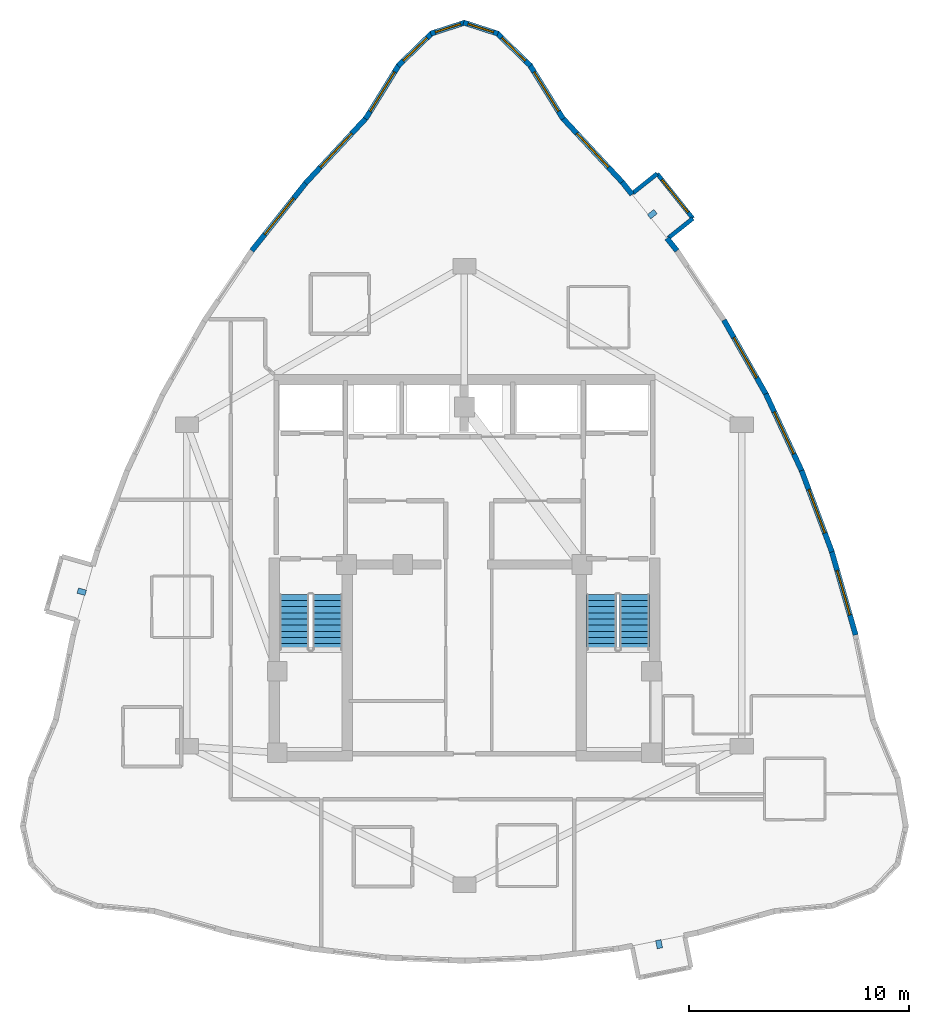
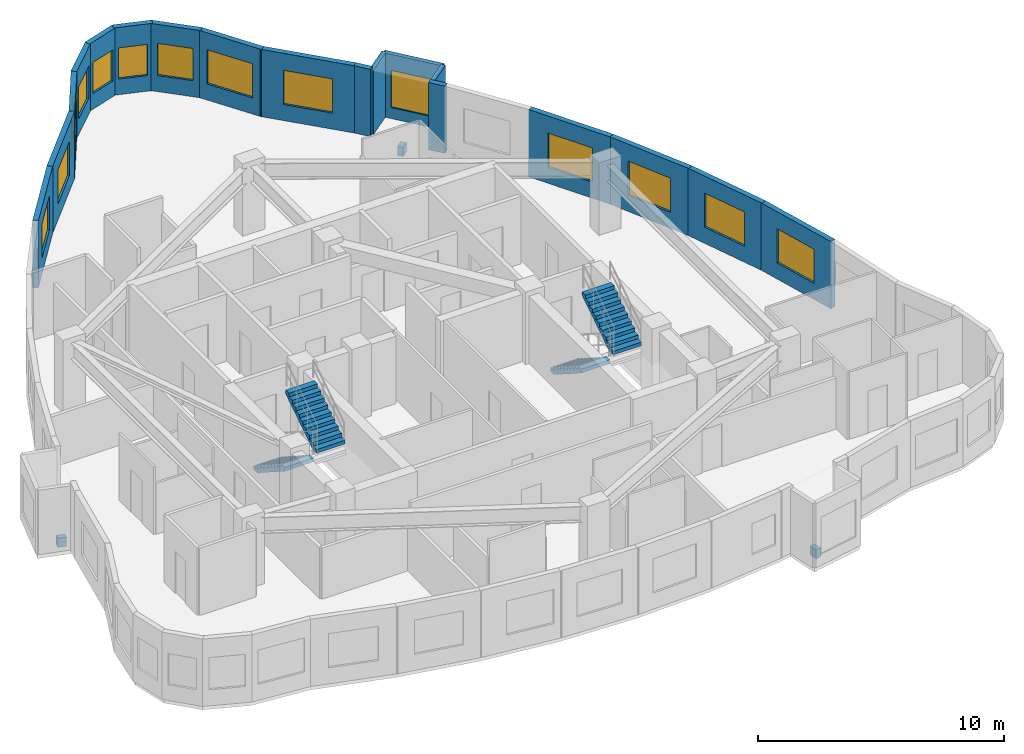
# One storey, part 7 of 8: 18 walls, 14 windows, 4 stair flights, 3 discrete accessories, 14 openings, 2 elements without a shape of their own.
"""IFC4 building model written with IfcOpenShell, lengths in metres."""

from ifc_helpers import new_model, si_unit, direction, frame, frame_2d, origin, origin_2d, place, context, subcontext, project, spatial, polyline, rectangle, outline, extrude, material, layer, layer_set, type_object, element, fill, aggregate, save


model = new_model("IFC4")

# Units and contexts
model_context = context("Model", 3, precision=1e-05, world=origin(), true_north=direction((0.0, 1.0)))
body_context = subcontext(model_context, "Body", "Model", "MODEL_VIEW")
ifc_project = project(units=[si_unit("LENGTHUNIT", "METRE"), si_unit("AREAUNIT", "SQUARE_METRE"), si_unit("VOLUMEUNIT", "CUBIC_METRE"), si_unit("PLANEANGLEUNIT", "RADIAN"), si_unit("MASSUNIT", "GRAM", prefix="KILO")], contexts=[model_context])

# Site, building, storey
site_placement = place(None, origin())
site = spatial("IfcSite", under=ifc_project, at=site_placement, CompositionType="ELEMENT")
building_placement = place(site_placement, origin())
building = spatial("IfcBuilding", under=site, at=building_placement, Name="Miruveldt Soraemaru", CompositionType="ELEMENT")
storey_placement = place(building_placement, frame((0.0, 0.0, 212.39990234375)))
storey = spatial("IfcBuildingStorey", under=building, at=storey_placement, Name="L58", CompositionType="ELEMENT", Elevation=212.39990234375)

# Walls
ifc_material_1 = material(Name="White powder-coated aluminium EN AW-6060 T6", Category="aluminium")
ifc_layer_1 = layer(ifc_material_1, 0.18994140625, Name="White powder-coated aluminium EN AW-6060 T6", Category="aluminium")
ifc_layer_set_1 = layer_set([ifc_layer_1], Name="White powder-coated aluminium EN AW-6060 T6")
wall_type_1 = type_object("IfcWallType", Name="WALL-BAY-ALU190", PredefinedType="SOLIDWALL", material=ifc_layer_set_1)
for number, where, z_axis, x_axis, name in (
    (1, (53.26513671875, 58.88232421875, 0.0), (0.0, 0.0, 1.0), (0.781737193764, 0.623608017817, 0.0), "L58 Bay Window Side Cheek 2L"),
    (2, (52.7578125, 61.803466796875, 0.0), (0.0, 0.0, 1.0), (-0.781737193764, -0.623608017817, 0.0), "L58 Bay Window Side Cheek 2R"),
):
    element("IfcWall", number, at=place(storey_placement, frame(where, z_axis=z_axis, x_axis=x_axis)), inside=storey, type_object=wall_type_1, Name=name, PredefinedType="SOLIDWALL", context=body_context, shape_type="SweptSolid", body=[
        extrude(rectangle(XDim=1.425048828125, YDim=0.18994140625, at=frame_2d((0.71240234375, 0.0))), origin(), (0.0, 0.0, 1.0), 3.195068359375),
    ])

# Wall, opening, window
wall_1_placement = place(storey_placement, frame((54.379150390625, 59.77099609375, 0.0), z_axis=(0.0, 0.0, 1.0), x_axis=(-0.623606546405, 0.781738367538, 0.0)))
wall_1 = element("IfcWall", 3, at=wall_1_placement, inside=storey, type_object=wall_type_1, Name="L58 Bay Window Front Frame 2", PredefinedType="SOLIDWALL", context=body_context, shape_type="SweptSolid", body=[
    extrude(rectangle(XDim=2.599853515625, YDim=0.18994140625, at=frame_2d((1.2998046875, 0.0))), origin(), (0.0, 0.0, 1.0), 3.195068359375),
])
opening_1_placement = place(wall_1_placement, frame((0.35009765625, 0.0, 0.550048828125)))
opening_1 = element("IfcOpeningElement", 4, at=opening_1_placement, cuts=wall_1, Name="Opening WN-6", PredefinedType="OPENING", context=body_context, shape_type="SweptSolid", body=[
    extrude(rectangle(XDim=1.89990234375, YDim=1.85009765625, at=frame_2d((0.949951171875, 0.925048828125))), frame((0.0, 0.10498046875, 0.0), z_axis=(0.0, -1.0, 0.0), x_axis=(1.0, 0.0, 0.0)), (0.0, 0.0, 1.0), 0.2099609375),
])
ifc_material_2 = material(Name="Triple low-e insulated glazing", Category="glass")
window_type_1 = type_object("IfcWindowType", Name="WIN-BAYW-1900x1850", PartitioningType="SINGLE_PANEL", PredefinedType="WINDOW", material=ifc_material_2)
window_1_placement = place(opening_1_placement, origin())
window_1 = element("IfcWindow", 5, at=window_1_placement, inside=storey, type_object=window_type_1, Name="L58 Projecting Bay Window 2", OverallHeight=1.85009765625, OverallWidth=1.89990234375, PartitioningType="SINGLE_PANEL", PredefinedType="WINDOW", context=body_context, shape_type="SweptSolid", body=[
    extrude(rectangle(XDim=1.89990234375, YDim=1.85009765625, at=frame_2d((0.949951171875, 0.925048828125))), frame((0.0, 0.030029296875, 0.0), z_axis=(0.0, -1.0, 0.0), x_axis=(1.0, 0.0, 0.0)), (0.0, 0.0, 1.0), 0.06005859375),
])
fill(opening_1, window_1)

ifc_material_3 = material(Name="Precast concrete C45/55 (45 MPa)", Category="concrete")
ifc_layer_2 = layer(ifc_material_3, 0.239990234375, Name="Precast concrete C45/55 (45 MPa)", Category="concrete")
ifc_layer_set_2 = layer_set([ifc_layer_2], Name="Precast concrete C45/55 (45 MPa)")
wall_type_2 = type_object("IfcWallType", Name="WALL-EXT-PC240", PredefinedType="SOLIDWALL", material=ifc_layer_set_2)
wall_2_placement = place(storey_placement, frame((48.4873046875, 64.292724609375, 0.0), z_axis=(0.0, 0.0, 1.0), x_axis=(-0.526030162623, 0.850465912315, 0.0)))
wall_2 = element("IfcWall", 6, at=wall_2_placement, inside=storey, type_object=wall_type_2, Name="L58 Precast Concrete Facade Wall 1", PredefinedType="SOLIDWALL", context=body_context, shape_type="SweptSolid", body=[
    extrude(rectangle(XDim=2.901611328125, YDim=0.239990234375, at=frame_2d((1.45068359375, 0.0))), origin(), (0.0, 0.0, 1.0), 3.34521484375),
])
opening_2_placement = place(wall_2_placement, frame((0.40087890625, 0.0, 0.800048828125)))
opening_2 = element("IfcOpeningElement", 7, at=opening_2_placement, cuts=wall_2, Name="Opening WN-1", PredefinedType="OPENING", context=body_context, shape_type="SweptSolid", body=[
    extrude(rectangle(XDim=2.10009765625, YDim=1.699951171875, at=frame_2d((1.050048828125, 0.85009765625))), frame((0.0, 0.1298828125, 0.0), z_axis=(0.0, -1.0, 0.0), x_axis=(1.0, 0.0, 0.0)), (0.0, 0.0, 1.0), 0.260009765625),
])
window_type_2 = type_object("IfcWindowType", Name="WIN-PUNCH-2100x1700", PartitioningType="SINGLE_PANEL", PredefinedType="WINDOW", material=ifc_material_2)
window_2_placement = place(opening_2_placement, origin())
window_2 = element("IfcWindow", 8, at=window_2_placement, inside=storey, type_object=window_type_2, Name="L58 Punched Triple-Glazed Window 01.1", OverallHeight=1.699951171875, OverallWidth=2.10009765625, PartitioningType="SINGLE_PANEL", PredefinedType="WINDOW", context=body_context, shape_type="SweptSolid", body=[
    extrude(rectangle(XDim=2.10009765625, YDim=1.699951171875, at=frame_2d((1.050048828125, 0.85009765625))), frame((0.0, 0.030029296875, 0.0), z_axis=(0.0, -1.0, 0.0), x_axis=(1.0, 0.0, 0.0)), (0.0, 0.0, 1.0), 0.06005859375),
])
fill(opening_2, window_2)

wall_3_placement = place(storey_placement, frame((47.00439453125, 66.706298828125, 0.0), z_axis=(0.0, 0.0, 1.0), x_axis=(-0.717779735571, 0.69627024294, 0.0)))
wall_3 = element("IfcWall", 9, at=wall_3_placement, inside=storey, type_object=wall_type_2, Name="L58 Precast Concrete Facade Wall 2", PredefinedType="SOLIDWALL", context=body_context, shape_type="SweptSolid", body=[
    extrude(rectangle(XDim=2.145263671875, YDim=0.239990234375, at=frame_2d((1.07275390625, 0.0))), origin(), (0.0, 0.0, 1.0), 3.34521484375),
])
opening_3_placement = place(wall_3_placement, frame((0.322998046875, 0.0, 0.800048828125)))
opening_3 = element("IfcOpeningElement", 10, at=opening_3_placement, cuts=wall_3, Name="Opening WN-3", PredefinedType="OPENING", context=body_context, shape_type="SweptSolid", body=[
    extrude(rectangle(XDim=1.5, YDim=1.60009765625, at=frame_2d((0.75, 0.800048828125))), frame((0.0, 0.1298828125, 0.0), z_axis=(0.0, -1.0, 0.0), x_axis=(1.0, 0.0, 0.0)), (0.0, 0.0, 1.0), 0.260009765625),
])
window_type_3 = type_object("IfcWindowType", Name="WIN-PUNCH-1500x1600", PartitioningType="SINGLE_PANEL", PredefinedType="WINDOW", material=ifc_material_2)
window_3_placement = place(opening_3_placement, origin())
window_3 = element("IfcWindow", 11, at=window_3_placement, inside=storey, type_object=window_type_3, Name="L58 Punched Triple-Glazed Window 02.1", OverallHeight=1.60009765625, OverallWidth=1.5, PartitioningType="SINGLE_PANEL", PredefinedType="WINDOW", context=body_context, shape_type="SweptSolid", body=[
    extrude(rectangle(XDim=1.5, YDim=1.60009765625, at=frame_2d((0.75, 0.800048828125))), frame((0.0, 0.030029296875, 0.0), z_axis=(0.0, -1.0, 0.0), x_axis=(1.0, 0.0, 0.0)), (0.0, 0.0, 1.0), 0.06005859375),
])
fill(opening_3, window_3)

wall_4_placement = place(storey_placement, frame((45.52294921875, 68.164794921875, 0.0), z_axis=(0.0, 0.0, 1.0), x_axis=(-0.951452233114, 0.307796439391, 0.0)))
wall_4 = element("IfcWall", 12, at=wall_4_placement, inside=storey, type_object=wall_type_2, Name="L58 Precast Concrete Facade Wall 3", PredefinedType="SOLIDWALL", context=body_context, shape_type="SweptSolid", body=[
    extrude(rectangle(XDim=1.635498046875, YDim=0.239990234375, at=frame_2d((0.81787109375, 0.0))), origin(), (0.0, 0.0, 1.0), 3.34521484375),
])
opening_4_placement = place(wall_4_placement, frame((0.218017578125, 0.0, 0.780029296875)))
opening_4 = element("IfcOpeningElement", 13, at=opening_4_placement, cuts=wall_4, Name="Opening WN-4", PredefinedType="OPENING", context=body_context, shape_type="SweptSolid", body=[
    extrude(rectangle(XDim=1.199951171875, YDim=1.550048828125, at=frame_2d((0.60009765625, 0.77490234375))), frame((0.0, 0.1298828125, 0.0), z_axis=(0.0, -1.0, 0.0), x_axis=(1.0, 0.0, 0.0)), (0.0, 0.0, 1.0), 0.260009765625),
])
window_type_4 = type_object("IfcWindowType", Name="WIN-PUNCH-1200x1550", PartitioningType="SINGLE_PANEL", PredefinedType="WINDOW", material=ifc_material_2)
window_4_placement = place(opening_4_placement, origin())
window_4 = element("IfcWindow", 14, at=window_4_placement, inside=storey, type_object=window_type_4, Name="L58 Punched Triple-Glazed Window 03.1", OverallHeight=1.550048828125, OverallWidth=1.199951171875, PartitioningType="SINGLE_PANEL", PredefinedType="WINDOW", context=body_context, shape_type="SweptSolid", body=[
    extrude(rectangle(XDim=1.199951171875, YDim=1.550048828125, at=frame_2d((0.60009765625, 0.77490234375))), frame((0.0, 0.030029296875, 0.0), z_axis=(0.0, -1.0, 0.0), x_axis=(1.0, 0.0, 0.0)), (0.0, 0.0, 1.0), 0.06005859375),
])
fill(opening_4, window_4)

wall_5_placement = place(storey_placement, frame((44.033203125, 68.668212890625, 0.0), z_axis=(0.0, 0.0, 1.0), x_axis=(-0.951452233114, -0.307796439391, 0.0)))
wall_5 = element("IfcWall", 15, at=wall_5_placement, inside=storey, type_object=wall_type_2, Name="L58 Precast Concrete Facade Wall 4", PredefinedType="SOLIDWALL", context=body_context, shape_type="SweptSolid", body=[
    extrude(rectangle(XDim=1.635498046875, YDim=0.239990234375, at=frame_2d((0.81787109375, 0.0))), origin(), (0.0, 0.0, 1.0), 3.34521484375),
])
opening_5_placement = place(wall_5_placement, frame((0.218017578125, 0.0, 0.780029296875)))
opening_5 = element("IfcOpeningElement", 16, at=opening_5_placement, cuts=wall_5, Name="Opening WN-4", PredefinedType="OPENING", context=body_context, shape_type="SweptSolid", body=[
    extrude(rectangle(XDim=1.199951171875, YDim=1.550048828125, at=frame_2d((0.60009765625, 0.77490234375))), frame((0.0, 0.1298828125, 0.0), z_axis=(0.0, -1.0, 0.0), x_axis=(1.0, 0.0, 0.0)), (0.0, 0.0, 1.0), 0.260009765625),
])
window_5_placement = place(opening_5_placement, origin())
window_5 = element("IfcWindow", 17, at=window_5_placement, inside=storey, type_object=window_type_4, Name="L58 Punched Triple-Glazed Window 04.1", OverallHeight=1.550048828125, OverallWidth=1.199951171875, PartitioningType="SINGLE_PANEL", PredefinedType="WINDOW", context=body_context, shape_type="SweptSolid", body=[
    extrude(rectangle(XDim=1.199951171875, YDim=1.550048828125, at=frame_2d((0.60009765625, 0.77490234375))), frame((0.0, 0.030029296875, 0.0), z_axis=(0.0, -1.0, 0.0), x_axis=(1.0, 0.0, 0.0)), (0.0, 0.0, 1.0), 0.06005859375),
])
fill(opening_5, window_5)

wall_6_placement = place(storey_placement, frame((42.535400390625, 68.199951171875, 0.0), z_axis=(0.0, 0.0, 1.0), x_axis=(-0.717779735571, -0.69627024294, 0.0)))
wall_6 = element("IfcWall", 18, at=wall_6_placement, inside=storey, type_object=wall_type_2, Name="L58 Precast Concrete Facade Wall 5", PredefinedType="SOLIDWALL", context=body_context, shape_type="SweptSolid", body=[
    extrude(rectangle(XDim=2.145263671875, YDim=0.239990234375, at=frame_2d((1.07275390625, 0.0))), origin(), (0.0, 0.0, 1.0), 3.34521484375),
])
opening_6_placement = place(wall_6_placement, frame((0.322998046875, 0.0, 0.800048828125)))
opening_6 = element("IfcOpeningElement", 19, at=opening_6_placement, cuts=wall_6, Name="Opening WN-3", PredefinedType="OPENING", context=body_context, shape_type="SweptSolid", body=[
    extrude(rectangle(XDim=1.5, YDim=1.60009765625, at=frame_2d((0.75, 0.800048828125))), frame((0.0, 0.1298828125, 0.0), z_axis=(0.0, -1.0, 0.0), x_axis=(1.0, 0.0, 0.0)), (0.0, 0.0, 1.0), 0.260009765625),
])
window_6_placement = place(opening_6_placement, origin())
window_6 = element("IfcWindow", 20, at=window_6_placement, inside=storey, type_object=window_type_3, Name="L58 Punched Triple-Glazed Window 05.1", OverallHeight=1.60009765625, OverallWidth=1.5, PartitioningType="SINGLE_PANEL", PredefinedType="WINDOW", context=body_context, shape_type="SweptSolid", body=[
    extrude(rectangle(XDim=1.5, YDim=1.60009765625, at=frame_2d((0.75, 0.800048828125))), frame((0.0, 0.030029296875, 0.0), z_axis=(0.0, -1.0, 0.0), x_axis=(1.0, 0.0, 0.0)), (0.0, 0.0, 1.0), 0.06005859375),
])
fill(opening_6, window_6)

wall_7_placement = place(storey_placement, frame((41.0390625, 66.760498046875, 0.0), z_axis=(0.0, 0.0, 1.0), x_axis=(-0.526030162623, -0.850465912315, 0.0)))
wall_7 = element("IfcWall", 21, at=wall_7_placement, inside=storey, type_object=wall_type_2, Name="L58 Precast Concrete Facade Wall 6", PredefinedType="SOLIDWALL", context=body_context, shape_type="SweptSolid", body=[
    extrude(rectangle(XDim=2.901611328125, YDim=0.239990234375, at=frame_2d((1.45068359375, 0.0))), origin(), (0.0, 0.0, 1.0), 3.34521484375),
])
opening_7_placement = place(wall_7_placement, frame((0.40087890625, 0.0, 0.800048828125)))
opening_7 = element("IfcOpeningElement", 22, at=opening_7_placement, cuts=wall_7, Name="Opening WN-1", PredefinedType="OPENING", context=body_context, shape_type="SweptSolid", body=[
    extrude(rectangle(XDim=2.10009765625, YDim=1.699951171875, at=frame_2d((1.050048828125, 0.85009765625))), frame((0.0, 0.1298828125, 0.0), z_axis=(0.0, -1.0, 0.0), x_axis=(1.0, 0.0, 0.0)), (0.0, 0.0, 1.0), 0.260009765625),
])
window_7_placement = place(opening_7_placement, origin())
window_7 = element("IfcWindow", 23, at=window_7_placement, inside=storey, type_object=window_type_2, Name="L58 Punched Triple-Glazed Window 06.1", OverallHeight=1.699951171875, OverallWidth=2.10009765625, PartitioningType="SINGLE_PANEL", PredefinedType="WINDOW", context=body_context, shape_type="SweptSolid", body=[
    extrude(rectangle(XDim=2.10009765625, YDim=1.699951171875, at=frame_2d((1.050048828125, 0.85009765625))), frame((0.0, 0.030029296875, 0.0), z_axis=(0.0, -1.0, 0.0), x_axis=(1.0, 0.0, 0.0)), (0.0, 0.0, 1.0), 0.06005859375),
])
fill(opening_7, window_7)

wall_8_placement = place(storey_placement, frame((39.5546875, 64.34814453125, 0.0), z_axis=(0.0, 0.0, 1.0), x_axis=(-0.680865739955, -0.73240824965, 0.0)))
wall_8 = element("IfcWall", 24, at=wall_8_placement, inside=storey, type_object=wall_type_2, Name="L58 Precast Concrete Facade Wall 7", PredefinedType="SOLIDWALL", context=body_context, shape_type="SweptSolid", body=[
    extrude(rectangle(XDim=4.06396484375, YDim=0.239990234375, at=frame_2d((2.031982421875, 0.0))), origin(), (0.0, 0.0, 1.0), 3.34521484375),
])
opening_8_placement = place(wall_8_placement, frame((0.98193359375, 0.0, 0.800048828125)))
opening_8 = element("IfcOpeningElement", 25, at=opening_8_placement, cuts=wall_8, Name="Opening WN-1", PredefinedType="OPENING", context=body_context, shape_type="SweptSolid", body=[
    extrude(rectangle(XDim=2.10009765625, YDim=1.699951171875, at=frame_2d((1.050048828125, 0.85009765625))), frame((0.0, 0.1298828125, 0.0), z_axis=(0.0, -1.0, 0.0), x_axis=(1.0, 0.0, 0.0)), (0.0, 0.0, 1.0), 0.260009765625),
])
window_8_placement = place(opening_8_placement, origin())
window_8 = element("IfcWindow", 26, at=window_8_placement, inside=storey, type_object=window_type_2, Name="L58 Punched Triple-Glazed Window 07.1", OverallHeight=1.699951171875, OverallWidth=2.10009765625, PartitioningType="SINGLE_PANEL", PredefinedType="WINDOW", context=body_context, shape_type="SweptSolid", body=[
    extrude(rectangle(XDim=2.10009765625, YDim=1.699951171875, at=frame_2d((1.050048828125, 0.85009765625))), frame((0.0, 0.030029296875, 0.0), z_axis=(0.0, -1.0, 0.0), x_axis=(1.0, 0.0, 0.0)), (0.0, 0.0, 1.0), 0.06005859375),
])
fill(opening_8, window_8)

wall_9_placement = place(storey_placement, frame((36.833251953125, 61.4248046875, 0.0), z_axis=(0.0, 0.0, 1.0), x_axis=(-0.623568303813, -0.7817688728, 0.0)))
wall_9 = element("IfcWall", 27, at=wall_9_placement, inside=storey, type_object=wall_type_2, Name="L58 Precast Concrete Facade Wall 8", PredefinedType="SOLIDWALL", context=body_context, shape_type="SweptSolid", body=[
    extrude(rectangle(XDim=3.992431640625, YDim=0.239990234375, at=frame_2d((1.99609375, 0.0))), origin(), (0.0, 0.0, 1.0), 3.34521484375),
])
opening_9_placement = place(wall_9_placement, frame((0.946044921875, 0.0, 0.800048828125)))
opening_9 = element("IfcOpeningElement", 28, at=opening_9_placement, cuts=wall_9, Name="Opening WN-1", PredefinedType="OPENING", context=body_context, shape_type="SweptSolid", body=[
    extrude(rectangle(XDim=2.10009765625, YDim=1.699951171875, at=frame_2d((1.050048828125, 0.85009765625))), frame((0.0, 0.1298828125, 0.0), z_axis=(0.0, -1.0, 0.0), x_axis=(1.0, 0.0, 0.0)), (0.0, 0.0, 1.0), 0.260009765625),
])
window_9_placement = place(opening_9_placement, origin())
window_9 = element("IfcWindow", 29, at=window_9_placement, inside=storey, type_object=window_type_2, Name="L58 Punched Triple-Glazed Window 08.1", OverallHeight=1.699951171875, OverallWidth=2.10009765625, PartitioningType="SINGLE_PANEL", PredefinedType="WINDOW", context=body_context, shape_type="SweptSolid", body=[
    extrude(rectangle(XDim=2.10009765625, YDim=1.699951171875, at=frame_2d((1.050048828125, 0.85009765625))), frame((0.0, 0.030029296875, 0.0), z_axis=(0.0, -1.0, 0.0), x_axis=(1.0, 0.0, 0.0)), (0.0, 0.0, 1.0), 0.06005859375),
])
fill(opening_9, window_9)

wall_10_placement = place(storey_placement, frame((61.771728515625, 40.851806640625, 0.0), z_axis=(0.0, 0.0, 1.0), x_axis=(-0.2749472738, 0.961459305759, 0.0)))
wall_10 = element("IfcWall", 30, at=wall_10_placement, inside=storey, type_object=wall_type_2, Name="L58 Precast Concrete Facade Wall 36", PredefinedType="SOLIDWALL", context=body_context, shape_type="SweptSolid", body=[
    extrude(rectangle(XDim=3.9921875, YDim=0.239990234375, at=frame_2d((1.99609375, 0.0))), origin(), (0.0, 0.0, 1.0), 3.34521484375),
])
opening_10_placement = place(wall_10_placement, frame((0.946044921875, 0.0, 0.800048828125)))
opening_10 = element("IfcOpeningElement", 31, at=opening_10_placement, cuts=wall_10, Name="Opening WN-1", PredefinedType="OPENING", context=body_context, shape_type="SweptSolid", body=[
    extrude(rectangle(XDim=2.10009765625, YDim=1.699951171875, at=frame_2d((1.050048828125, 0.85009765625))), frame((0.0, 0.1298828125, 0.0), z_axis=(0.0, -1.0, 0.0), x_axis=(1.0, 0.0, 0.0)), (0.0, 0.0, 1.0), 0.260009765625),
])
window_10_placement = place(opening_10_placement, origin())
window_10 = element("IfcWindow", 32, at=window_10_placement, inside=storey, type_object=window_type_2, Name="L58 Punched Triple-Glazed Window 36.1", OverallHeight=1.699951171875, OverallWidth=2.10009765625, PartitioningType="SINGLE_PANEL", PredefinedType="WINDOW", context=body_context, shape_type="SweptSolid", body=[
    extrude(rectangle(XDim=2.10009765625, YDim=1.699951171875, at=frame_2d((1.050048828125, 0.85009765625))), frame((0.0, 0.030029296875, 0.0), z_axis=(0.0, -1.0, 0.0), x_axis=(1.0, 0.0, 0.0)), (0.0, 0.0, 1.0), 0.06005859375),
])
fill(opening_10, window_10)

wall_11_placement = place(storey_placement, frame((60.69580078125, 44.623779296875, 0.0), z_axis=(0.0, 0.0, 1.0), x_axis=(-0.349019487368, 0.937115466438, 0.0)))
wall_11 = element("IfcWall", 33, at=wall_11_placement, inside=storey, type_object=wall_type_2, Name="L58 Precast Concrete Facade Wall 37", PredefinedType="SOLIDWALL", context=body_context, shape_type="SweptSolid", body=[
    extrude(rectangle(XDim=3.94384765625, YDim=0.239990234375, at=frame_2d((1.971923828125, 0.0))), origin(), (0.0, 0.0, 1.0), 3.34521484375),
])
opening_11_placement = place(wall_11_placement, frame((0.922119140625, 0.0, 0.800048828125)))
opening_11 = element("IfcOpeningElement", 34, at=opening_11_placement, cuts=wall_11, Name="Opening WN-1", PredefinedType="OPENING", context=body_context, shape_type="SweptSolid", body=[
    extrude(rectangle(XDim=2.10009765625, YDim=1.699951171875, at=frame_2d((1.050048828125, 0.85009765625))), frame((0.0, 0.1298828125, 0.0), z_axis=(0.0, -1.0, 0.0), x_axis=(1.0, 0.0, 0.0)), (0.0, 0.0, 1.0), 0.260009765625),
])
window_11_placement = place(opening_11_placement, origin())
window_11 = element("IfcWindow", 35, at=window_11_placement, inside=storey, type_object=window_type_2, Name="L58 Punched Triple-Glazed Window 37.1", OverallHeight=1.699951171875, OverallWidth=2.10009765625, PartitioningType="SINGLE_PANEL", PredefinedType="WINDOW", context=body_context, shape_type="SweptSolid", body=[
    extrude(rectangle(XDim=2.10009765625, YDim=1.699951171875, at=frame_2d((1.050048828125, 0.85009765625))), frame((0.0, 0.030029296875, 0.0), z_axis=(0.0, -1.0, 0.0), x_axis=(1.0, 0.0, 0.0)), (0.0, 0.0, 1.0), 0.06005859375),
])
fill(opening_11, window_11)

wall_12_placement = place(storey_placement, frame((59.346435546875, 48.2548828125, 0.0), z_axis=(0.0, 0.0, 1.0), x_axis=(-0.422274956888, 0.906467793573, 0.0)))
wall_12 = element("IfcWall", 36, at=wall_12_placement, inside=storey, type_object=wall_type_2, Name="L58 Precast Concrete Facade Wall 38", PredefinedType="SOLIDWALL", context=body_context, shape_type="SweptSolid", body=[
    extrude(rectangle(XDim=3.91943359375, YDim=0.239990234375, at=frame_2d((1.959716796875, 0.0))), origin(), (0.0, 0.0, 1.0), 3.34521484375),
])
opening_12_placement = place(wall_12_placement, frame((0.908935546875, 0.0, 0.800048828125)))
opening_12 = element("IfcOpeningElement", 37, at=opening_12_placement, cuts=wall_12, Name="Opening WN-1", PredefinedType="OPENING", context=body_context, shape_type="SweptSolid", body=[
    extrude(rectangle(XDim=2.10009765625, YDim=1.699951171875, at=frame_2d((1.050048828125, 0.85009765625))), frame((0.0, 0.1298828125, 0.0), z_axis=(0.0, -1.0, 0.0), x_axis=(1.0, 0.0, 0.0)), (0.0, 0.0, 1.0), 0.260009765625),
])
window_12_placement = place(opening_12_placement, origin())
window_12 = element("IfcWindow", 38, at=window_12_placement, inside=storey, type_object=window_type_2, Name="L58 Punched Triple-Glazed Window 38.1", OverallHeight=1.699951171875, OverallWidth=2.10009765625, PartitioningType="SINGLE_PANEL", PredefinedType="WINDOW", context=body_context, shape_type="SweptSolid", body=[
    extrude(rectangle(XDim=2.10009765625, YDim=1.699951171875, at=frame_2d((1.050048828125, 0.85009765625))), frame((0.0, 0.030029296875, 0.0), z_axis=(0.0, -1.0, 0.0), x_axis=(1.0, 0.0, 0.0)), (0.0, 0.0, 1.0), 0.06005859375),
])
fill(opening_12, window_12)

wall_13_placement = place(storey_placement, frame((57.723388671875, 51.74560546875, 0.0), z_axis=(0.0, 0.0, 1.0), x_axis=(-0.493399199777, 0.869802983243, 0.0)))
wall_13 = element("IfcWall", 39, at=wall_13_placement, inside=storey, type_object=wall_type_2, Name="L58 Precast Concrete Facade Wall 39", PredefinedType="SOLIDWALL", context=body_context, shape_type="SweptSolid", body=[
    extrude(rectangle(XDim=3.9189453125, YDim=0.239990234375, at=frame_2d((1.95947265625, 0.0))), origin(), (0.0, 0.0, 1.0), 3.34521484375),
])
opening_13_placement = place(wall_13_placement, frame((0.908935546875, 0.0, 0.800048828125)))
opening_13 = element("IfcOpeningElement", 40, at=opening_13_placement, cuts=wall_13, Name="Opening WN-1", PredefinedType="OPENING", context=body_context, shape_type="SweptSolid", body=[
    extrude(rectangle(XDim=2.10009765625, YDim=1.699951171875, at=frame_2d((1.050048828125, 0.85009765625))), frame((0.0, 0.1298828125, 0.0), z_axis=(0.0, -1.0, 0.0), x_axis=(1.0, 0.0, 0.0)), (0.0, 0.0, 1.0), 0.260009765625),
])
window_13_placement = place(opening_13_placement, origin())
window_13 = element("IfcWindow", 41, at=window_13_placement, inside=storey, type_object=window_type_2, Name="L58 Punched Triple-Glazed Window 39.1", OverallHeight=1.699951171875, OverallWidth=2.10009765625, PartitioningType="SINGLE_PANEL", PredefinedType="WINDOW", context=body_context, shape_type="SweptSolid", body=[
    extrude(rectangle(XDim=2.10009765625, YDim=1.699951171875, at=frame_2d((1.050048828125, 0.85009765625))), frame((0.0, 0.030029296875, 0.0), z_axis=(0.0, -1.0, 0.0), x_axis=(1.0, 0.0, 0.0)), (0.0, 0.0, 1.0), 0.06005859375),
])
fill(opening_13, window_13)

# Walls
for number, where, z_axis, x_axis, name in (
    (42, (53.65625, 58.3037109375, 0.0), (0.0, 0.0, 1.0), (-0.623300085087, 0.781982738896, 0.0), "L58 Precast Pier Wall 41A"),
    (43, (51.619384765625, 60.85693359375, 0.0), (0.0, 0.0, 1.0), (-0.623300085087, 0.781982738896, 0.0), "L58 Precast Pier Wall 41B"),
):
    element("IfcWall", number, at=place(storey_placement, frame(where, z_axis=z_axis, x_axis=x_axis)), inside=storey, type_object=wall_type_2, Name=name, PredefinedType="SOLIDWALL", context=body_context, shape_type="SweptSolid", body=[
        extrude(rectangle(XDim=0.72607421875, YDim=0.239990234375, at=frame_2d((0.363037109375, 0.0))), origin(), (0.0, 0.0, 1.0), 3.34521484375),
    ])

# Wall, opening, window
wall_14_placement = place(storey_placement, frame((51.21240234375, 61.37158203125, 0.0), z_axis=(0.0, 0.0, 1.0), x_axis=(-0.680865739955, 0.73240824965, 0.0)))
wall_14 = element("IfcWall", 44, at=wall_14_placement, inside=storey, type_object=wall_type_2, Name="L58 Precast Concrete Facade Wall 42", PredefinedType="SOLIDWALL", context=body_context, shape_type="SweptSolid", body=[
    extrude(rectangle(XDim=4.06396484375, YDim=0.239990234375, at=frame_2d((2.031982421875, 0.0))), origin(), (0.0, 0.0, 1.0), 3.34521484375),
])
opening_14_placement = place(wall_14_placement, frame((0.98193359375, 0.0, 0.800048828125)))
opening_14 = element("IfcOpeningElement", 45, at=opening_14_placement, cuts=wall_14, Name="Opening WN-1", PredefinedType="OPENING", context=body_context, shape_type="SweptSolid", body=[
    extrude(rectangle(XDim=2.10009765625, YDim=1.699951171875, at=frame_2d((1.050048828125, 0.85009765625))), frame((0.0, 0.1298828125, 0.0), z_axis=(0.0, -1.0, 0.0), x_axis=(1.0, 0.0, 0.0)), (0.0, 0.0, 1.0), 0.260009765625),
])
window_14_placement = place(opening_14_placement, origin())
window_14 = element("IfcWindow", 46, at=window_14_placement, inside=storey, type_object=window_type_2, Name="L58 Punched Triple-Glazed Window 42.1", OverallHeight=1.699951171875, OverallWidth=2.10009765625, PartitioningType="SINGLE_PANEL", PredefinedType="WINDOW", context=body_context, shape_type="SweptSolid", body=[
    extrude(rectangle(XDim=2.10009765625, YDim=1.699951171875, at=frame_2d((1.050048828125, 0.85009765625))), frame((0.0, 0.030029296875, 0.0), z_axis=(0.0, -1.0, 0.0), x_axis=(1.0, 0.0, 0.0)), (0.0, 0.0, 1.0), 0.06005859375),
])
fill(opening_14, window_14)

# Stair, stair flights
ifc_material_4 = material(Name="Concrete C40/50 (40 MPa)", Category="concrete")
stair_type = type_object("IfcStairType", Name="STAIR-DL-360", PredefinedType="HALF_TURN_STAIR", material=ifc_material_4)
stair_1_placement = place(storey_placement, origin())
stair_1 = element("IfcStair", 47, at=stair_1_placement, inside=storey, type_object=stair_type, Name="L58 Protected Exit Stair ST-1", PredefinedType="HALF_TURN_STAIR")
stair_flight_type = type_object("IfcStairFlightType", Name="SFL-DL-360", PredefinedType="STRAIGHT", material=ifc_material_4)
stair_flight_1_placement = place(storey_placement, frame((36.27490234375, 42.699951171875, 0.0), z_axis=(0.0, 0.0, 1.0), x_axis=(0.0, -1.0, 0.0)))
stair_flight_1 = element("IfcStairFlight", 48, at=stair_flight_1_placement, type_object=stair_flight_type, Name="ST-1 flight 1", NumberOfRisers=10, NumberOfTreads=9, PredefinedType="STRAIGHT", RiserHeight=0.18, TreadLength=0.28, context=body_context, shape_type="SweptSolid", body=[
    extrude(outline(polyline([(0.0, 0.0), (0.0, 0.179931640625), (0.280029296875, 0.179931640625), (0.280029296875, 0.360107421875), (0.56005859375, 0.360107421875), (0.56005859375, 0.5400390625), (0.840087890625, 0.5400390625), (0.840087890625, 0.719970703125), (1.1201171875, 0.719970703125), (1.1201171875, 0.89990234375), (1.39990234375, 0.89990234375), (1.39990234375, 1.080078125), (1.679931640625, 1.080078125), (1.679931640625, 1.260009765625), (1.9599609375, 1.260009765625), (1.9599609375, 1.43994140625), (2.239990234375, 1.43994140625), (2.239990234375, 1.6201171875), (2.52001953125, 1.6201171875), (2.52001953125, 1.800048828125), (2.52001953125, 1.429931640625), (0.295654296875, 0.0), (0.0, 0.0)])), frame((0.0, 0.675048828125, 0.0), z_axis=(0.0, -1.0, 0.0), x_axis=(1.0, 0.0, 0.0)), (0.0, 0.0, 1.0), 1.35009765625),
])
stair_flight_2_placement = place(storey_placement, frame((37.77490234375, 40.179931640625, 1.800048828125), z_axis=(0.0, 0.0, 1.0), x_axis=(0.0, 1.0, 0.0)))
stair_flight_2 = element("IfcStairFlight", 49, at=stair_flight_2_placement, type_object=stair_flight_type, Name="ST-1 flight 2", NumberOfRisers=10, NumberOfTreads=9, PredefinedType="STRAIGHT", RiserHeight=0.18, TreadLength=0.28, context=body_context, shape_type="SweptSolid", body=[
    extrude(outline(polyline([(0.0, 0.0), (0.0, 0.179931640625), (0.280029296875, 0.179931640625), (0.280029296875, 0.360107421875), (0.56005859375, 0.360107421875), (0.56005859375, 0.5400390625), (0.840087890625, 0.5400390625), (0.840087890625, 0.719970703125), (1.1201171875, 0.719970703125), (1.1201171875, 0.89990234375), (1.39990234375, 0.89990234375), (1.39990234375, 1.080078125), (1.679931640625, 1.080078125), (1.679931640625, 1.260009765625), (1.9599609375, 1.260009765625), (1.9599609375, 1.43994140625), (2.239990234375, 1.43994140625), (2.239990234375, 1.6201171875), (2.52001953125, 1.6201171875), (2.52001953125, 1.800048828125), (2.52001953125, 1.429931640625), (0.295654296875, 0.0), (0.0, 0.0)])), frame((0.0, 0.675048828125, 0.0), z_axis=(0.0, -1.0, 0.0), x_axis=(1.0, 0.0, 0.0)), (0.0, 0.0, 1.0), 1.35009765625),
])
aggregate(stair_1, [stair_flight_1, stair_flight_2])

stair_2_placement = place(storey_placement, origin())
stair_2 = element("IfcStair", 50, at=stair_2_placement, inside=storey, type_object=stair_type, Name="L58 Protected Exit Stair ST-2", PredefinedType="HALF_TURN_STAIR")
stair_flight_3_placement = place(storey_placement, frame((50.22509765625, 42.699951171875, 0.0), z_axis=(0.0, 0.0, 1.0), x_axis=(0.0, -1.0, 0.0)))
stair_flight_3 = element("IfcStairFlight", 51, at=stair_flight_3_placement, type_object=stair_flight_type, Name="ST-2 flight 1", NumberOfRisers=10, NumberOfTreads=9, PredefinedType="STRAIGHT", RiserHeight=0.18, TreadLength=0.28, context=body_context, shape_type="SweptSolid", body=[
    extrude(outline(polyline([(0.0, 0.0), (0.0, 0.179931640625), (0.280029296875, 0.179931640625), (0.280029296875, 0.360107421875), (0.56005859375, 0.360107421875), (0.56005859375, 0.5400390625), (0.840087890625, 0.5400390625), (0.840087890625, 0.719970703125), (1.1201171875, 0.719970703125), (1.1201171875, 0.89990234375), (1.39990234375, 0.89990234375), (1.39990234375, 1.080078125), (1.679931640625, 1.080078125), (1.679931640625, 1.260009765625), (1.9599609375, 1.260009765625), (1.9599609375, 1.43994140625), (2.239990234375, 1.43994140625), (2.239990234375, 1.6201171875), (2.52001953125, 1.6201171875), (2.52001953125, 1.800048828125), (2.52001953125, 1.429931640625), (0.295654296875, 0.0), (0.0, 0.0)])), frame((0.0, 0.675048828125, 0.0), z_axis=(0.0, -1.0, 0.0), x_axis=(1.0, 0.0, 0.0)), (0.0, 0.0, 1.0), 1.35009765625),
])
stair_flight_4_placement = place(storey_placement, frame((51.72509765625, 40.179931640625, 1.800048828125), z_axis=(0.0, 0.0, 1.0), x_axis=(0.0, 1.0, 0.0)))
stair_flight_4 = element("IfcStairFlight", 52, at=stair_flight_4_placement, type_object=stair_flight_type, Name="ST-2 flight 2", NumberOfRisers=10, NumberOfTreads=9, PredefinedType="STRAIGHT", RiserHeight=0.18, TreadLength=0.28, context=body_context, shape_type="SweptSolid", body=[
    extrude(outline(polyline([(0.0, 0.0), (0.0, 0.179931640625), (0.280029296875, 0.179931640625), (0.280029296875, 0.360107421875), (0.56005859375, 0.360107421875), (0.56005859375, 0.5400390625), (0.840087890625, 0.5400390625), (0.840087890625, 0.719970703125), (1.1201171875, 0.719970703125), (1.1201171875, 0.89990234375), (1.39990234375, 0.89990234375), (1.39990234375, 1.080078125), (1.679931640625, 1.080078125), (1.679931640625, 1.260009765625), (1.9599609375, 1.260009765625), (1.9599609375, 1.43994140625), (2.239990234375, 1.43994140625), (2.239990234375, 1.6201171875), (2.52001953125, 1.6201171875), (2.52001953125, 1.800048828125), (2.52001953125, 1.429931640625), (0.295654296875, 0.0), (0.0, 0.0)])), frame((0.0, 0.675048828125, 0.0), z_axis=(0.0, -1.0, 0.0), x_axis=(1.0, 0.0, 0.0)), (0.0, 0.0, 1.0), 1.35009765625),
])
aggregate(stair_2, [stair_flight_3, stair_flight_4])

# Discrete accessories
ifc_material_5 = material(Name="Steel SM355 (355 MPa)", Category="steel")
discrete_accessory_type = type_object("IfcDiscreteAccessoryType", Name="ACC-BAY-BRK", PredefinedType="BRACKET", material=ifc_material_5)
for number, where, z_axis, x_axis, name in (
    (53, (52.8427734375, 26.807861328125, -0.69970703125), (0.0, 0.0, 1.0), (0.196117290802, -0.980580444557, 0.0), "L58 Bay Window Cantilever Bracket 1"),
    (54, (52.53662109375, 59.964111328125, -0.69970703125), (0.0, 0.0, 1.0), (0.781727315753, 0.623620400408, 0.0), "L58 Bay Window Cantilever Bracket 2"),
    (55, (26.623291015625, 42.81494140625, -0.69970703125), (0.0, 0.0, 1.0), (-0.961449093633, 0.274982981932, 0.0), "L58 Bay Window Cantilever Bracket 3"),
):
    element("IfcDiscreteAccessory", number, at=place(storey_placement, frame(where, z_axis=z_axis, x_axis=x_axis)), inside=storey, type_object=discrete_accessory_type, Name=name, PredefinedType="BRACKET", context=body_context, shape_type="SweptSolid", body=[
        extrude(rectangle(XDim=0.3798828125, YDim=0.25, at=origin_2d()), origin(), (0.0, 0.0, 1.0), 0.449951171875),
    ])

save(model, "model.ifc")
